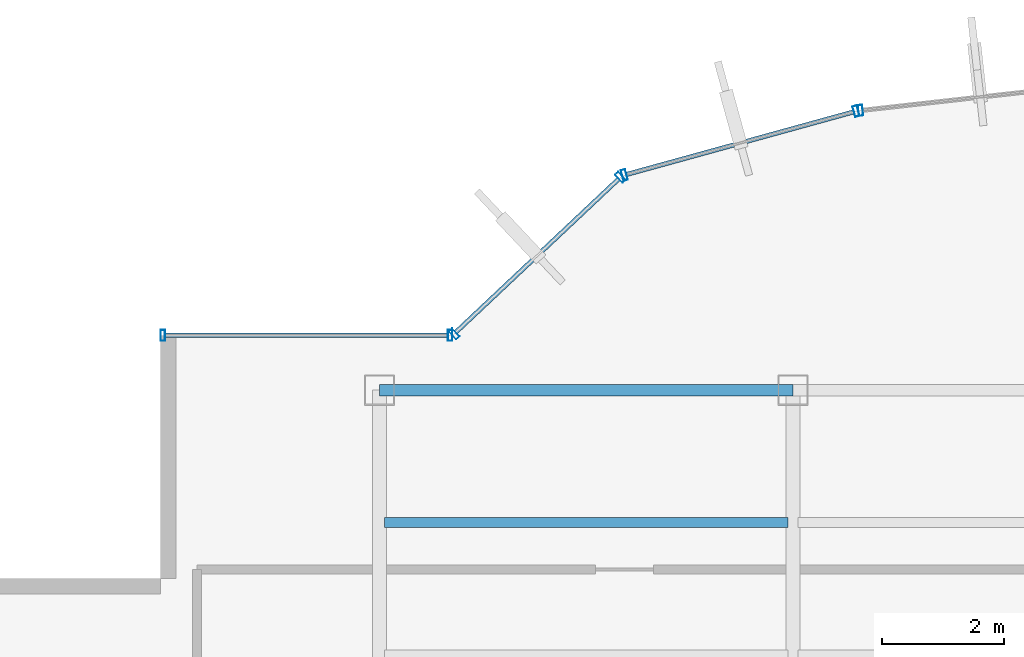
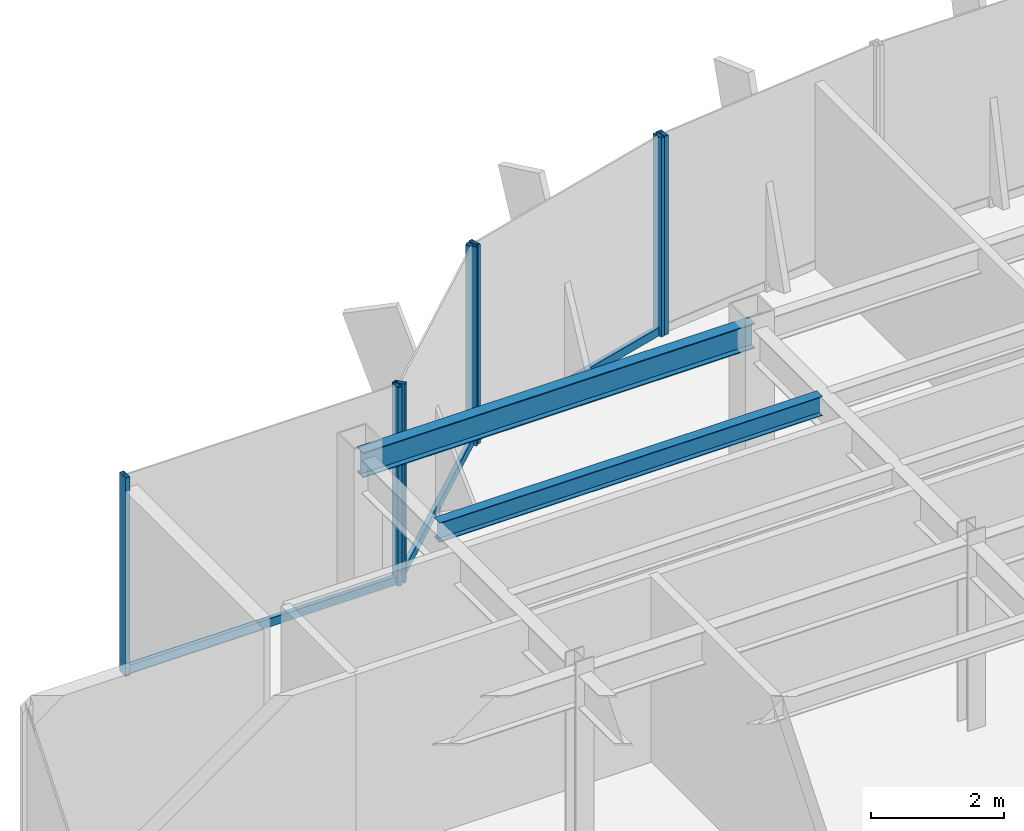
# One storey, part 12 of 22: 10 members, 2 beams, 4 elements without a shape of their own.
"""IFC4 building model written with IfcOpenShell, lengths in metres."""

from ifc_helpers import new_model, si_unit, derived_unit, direction, frame, origin, origin_2d, place, context, subcontext, project, spatial, hollow_rectangle, i_section, extrude, source, transform, mapped, material, material_profile, profile_set, type_object, element, aggregate, save


model = new_model("IFC4")

# Units and contexts
model_context = context("Model", 3, precision=1e-05, world=origin(), true_north=direction((0.0, 1.0)))
body_context = subcontext(model_context, "Body", "Model", "MODEL_VIEW")
ifc_project = project(units=[si_unit("LENGTHUNIT", "METRE"), si_unit("AREAUNIT", "SQUARE_METRE"), si_unit("VOLUMEUNIT", "CUBIC_METRE"), si_unit("PLANEANGLEUNIT", "RADIAN"), si_unit("MASSUNIT", "GRAM", prefix="KILO"), derived_unit("THERMALTRANSMITTANCEUNIT", [(si_unit("POWERUNIT", "WATT"), 1), (si_unit("LENGTHUNIT", "METRE"), -2), (si_unit("THERMODYNAMICTEMPERATUREUNIT", "KELVIN"), -1)])], contexts=[model_context])

# Site, building, storey
site_placement = place(None, origin())
site = spatial("IfcSite", under=ifc_project, at=site_placement, CompositionType="ELEMENT")
building_placement = place(site_placement, origin())
building = spatial("IfcBuilding", under=site, at=building_placement, Name="Skarnbrae Concourse Arena and Tower", CompositionType="ELEMENT")
storey_placement = place(building_placement, frame((0.0, 0.0, 225.10009765625)))
storey = spatial("IfcBuildingStorey", under=building, at=storey_placement, Name="L58", CompositionType="ELEMENT", Elevation=225.10009765625)

# Beams
ifc_material_1 = material(Name="Steel CSA G40.21 350W", Category="steel")
ifc_material_profile_1 = material_profile(ifc_material_1, i_section(OverallWidth=0.19091796875, OverallDepth=0.4599609375, WebThickness=0.010009765625, FlangeThickness=0.01611328125, at=origin_2d()), Name="W460X82")
ifc_profile_set_1 = profile_set([ifc_material_profile_1], Name="Steel CSA G40.21 350W")
beam_type_1 = type_object("IfcBeamType", Name="BM-SPAN-W460X82", PredefinedType="SPANDREL", material=ifc_profile_set_1)
shared_shape_1 = source(origin(), body_context, "Body", "SweptSolid", [
    extrude(i_section(OverallWidth=0.19091796875, OverallDepth=0.4599609375, WebThickness=0.010009765625, FlangeThickness=0.01611328125, at=origin_2d()), origin(), (0.0, 0.0, 1.0), 6.7998046875),
])
beam_1_placement = place(storey_placement, frame((7.60009765625, 34.39990234375, 3.169921875), z_axis=(1.0, 0.0, 0.0), x_axis=(0.0, 1.0, 0.0)))
element("IfcBeam", 1, at=beam_1_placement, inside=storey, type_object=beam_type_1, Name="L58 Perimeter spandrel Y34.4-1", PredefinedType="SPANDREL", context=body_context, shape_type="MappedRepresentation", body=[
    mapped(shared_shape_1, transform((0.0, 0.0, 0.0))),
])
ifc_material_profile_2 = material_profile(ifc_material_1, i_section(OverallWidth=0.1708984375, OverallDepth=0.35498046875, WebThickness=0.007080078125, FlangeThickness=0.01171875, at=origin_2d()), Name="W360X51")
ifc_profile_set_2 = profile_set([ifc_material_profile_2], Name="Steel CSA G40.21 350W")
beam_type_2 = type_object("IfcBeamType", Name="BM-JOIST-W360X51", PredefinedType="JOIST", material=ifc_profile_set_2)
shared_shape_2 = source(origin(), body_context, "Body", "SweptSolid", [
    extrude(i_section(OverallWidth=0.1708984375, OverallDepth=0.35498046875, WebThickness=0.007080078125, FlangeThickness=0.01171875, at=origin_2d()), origin(), (0.0, 0.0, 1.0), 6.64013671875),
])
beam_2_placement = place(storey_placement, frame((7.679931640625, 32.221923828125, 3.222412109375), z_axis=(1.0, 0.0, 0.0), x_axis=(0.0, 1.0, 0.0)))
element("IfcBeam", 2, at=beam_2_placement, inside=storey, type_object=beam_type_2, Name="L58 Secondary floor joist 3.2.1", PredefinedType="JOIST", context=body_context, shape_type="MappedRepresentation", body=[
    mapped(shared_shape_2, transform((0.0, 0.0, 0.0))),
])

# Curtain wall, member
ifc_material_2 = material(Name="Bronze anodised aluminium 6063-T6", Category="aluminium")
curtain_wall_type = type_object("IfcCurtainWallType", Name="CW-SYS-05-HIGHZONE", PredefinedType="USERDEFINED", material=ifc_material_2)
curtain_wall_1_placement = place(storey_placement, origin())
curtain_wall_1 = element("IfcCurtainWall", 3, at=curtain_wall_1_placement, inside=storey, type_object=curtain_wall_type, Name="L58 Unitised curtain wall CW-L58-E12", ObjectType="UNITISED CURTAIN WALL", PredefinedType="USERDEFINED")
ifc_material_profile_3 = material_profile(ifc_material_2, hollow_rectangle(XDim=0.074951171875, YDim=0.179931640625, WallThickness=0.00390625, at=origin_2d()), Name="ALU-MULL-75X180")
ifc_profile_set_3 = profile_set([ifc_material_profile_3], Name="Bronze anodised aluminium 6063-T6")
member_type_1 = type_object("IfcMemberType", Name="CWM-CW-05", PredefinedType="MULLION", material=ifc_profile_set_3)
shared_shape_3 = source(origin(), body_context, "Body", "SweptSolid", [
    extrude(hollow_rectangle(XDim=0.074951171875, YDim=0.179931640625, WallThickness=0.00390625, at=origin_2d()), origin(), (0.0, 0.0, 1.0), 3.64990234375),
])
member_1_placement = place(storey_placement, frame((15.511474609375, 39.001220703125, 0.0), z_axis=(0.0, 0.0, 1.0), x_axis=(-0.993768891873, -0.111460259941, 0.0)))
member_1 = element("IfcMember", 4, at=member_1_placement, type_object=member_type_1, Name="CW-L58-E12 Mullion 2", PredefinedType="MULLION", context=body_context, shape_type="MappedRepresentation", body=[
    mapped(shared_shape_3, transform((0.0, 0.0, 0.0))),
])
aggregate(curtain_wall_1, [member_1])

# Curtain wall, members
curtain_wall_2_placement = place(storey_placement, origin())
curtain_wall_2 = element("IfcCurtainWall", 5, at=curtain_wall_2_placement, inside=storey, type_object=curtain_wall_type, Name="L58 Unitised curtain wall CW-L58-E13", ObjectType="UNITISED CURTAIN WALL", PredefinedType="USERDEFINED")
member_2_placement = place(storey_placement, frame((15.43798828125, 38.987060546875, 0.0), z_axis=(0.0, 0.0, 1.0), x_axis=(-0.964057388766, -0.265694093207, 0.0)))
member_2 = element("IfcMember", 6, at=member_2_placement, type_object=member_type_1, Name="CW-L58-E13 Mullion 1", PredefinedType="MULLION", context=body_context, shape_type="MappedRepresentation", body=[
    mapped(shared_shape_3, transform((0.0, 0.0, 0.0))),
])
member_3_placement = place(storey_placement, frame((11.62646484375, 37.936767578125, 0.0), z_axis=(0.0, 0.0, 1.0), x_axis=(-0.964057388766, -0.265694093207, 0.0)))
member_3 = element("IfcMember", 7, at=member_3_placement, type_object=member_type_1, Name="CW-L58-E13 Mullion 2", PredefinedType="MULLION", context=body_context, shape_type="MappedRepresentation", body=[
    mapped(shared_shape_3, transform((0.0, 0.0, 0.0))),
])

curtain_wall_3_placement = place(storey_placement, origin())
curtain_wall_3 = element("IfcCurtainWall", 8, at=curtain_wall_3_placement, inside=storey, type_object=curtain_wall_type, Name="L58 Unitised curtain wall CW-L58-E14", ObjectType="UNITISED CURTAIN WALL", PredefinedType="USERDEFINED")
member_4_placement = place(storey_placement, frame((11.56298828125, 37.90087890625, 0.0), z_axis=(0.0, 0.0, 1.0), x_axis=(-0.728130555214, -0.685438468838, 0.0)))
member_4 = element("IfcMember", 9, at=member_4_placement, type_object=member_type_1, Name="CW-L58-E14 Mullion 1", PredefinedType="MULLION", context=body_context, shape_type="MappedRepresentation", body=[
    mapped(shared_shape_3, transform((0.0, 0.0, 0.0))),
])
member_5_placement = place(storey_placement, frame((8.827392578125, 35.32568359375, 0.0), z_axis=(0.0, 0.0, 1.0), x_axis=(-0.728130555214, -0.685438468838, 0.0)))
member_5 = element("IfcMember", 10, at=member_5_placement, type_object=member_type_1, Name="CW-L58-E14 Mullion 2", PredefinedType="MULLION", context=body_context, shape_type="MappedRepresentation", body=[
    mapped(shared_shape_3, transform((0.0, 0.0, 0.0))),
])

curtain_wall_4_placement = place(storey_placement, origin())
curtain_wall_4 = element("IfcCurtainWall", 11, at=curtain_wall_4_placement, inside=storey, type_object=curtain_wall_type, Name="L58 Unitised curtain wall CW-L58-E15", ObjectType="UNITISED CURTAIN WALL", PredefinedType="USERDEFINED")
member_6_placement = place(storey_placement, frame((8.762451171875, 35.300048828125, 0.0), z_axis=(0.0, 0.0, 1.0), x_axis=(-1.0, 0.0, 0.0)))
member_6 = element("IfcMember", 12, at=member_6_placement, type_object=member_type_1, Name="CW-L58-E15 Mullion 1", PredefinedType="MULLION", context=body_context, shape_type="MappedRepresentation", body=[
    mapped(shared_shape_3, transform((0.0, 0.0, 0.0))),
])
member_7_placement = place(storey_placement, frame((4.03759765625, 35.300048828125, 0.0), z_axis=(0.0, 0.0, 1.0), x_axis=(-1.0, 0.0, 0.0)))
member_7 = element("IfcMember", 13, at=member_7_placement, type_object=member_type_1, Name="CW-L58-E15 Mullion 2", PredefinedType="MULLION", context=body_context, shape_type="MappedRepresentation", body=[
    mapped(shared_shape_3, transform((0.0, 0.0, 0.0))),
])
ifc_material_profile_4 = material_profile(ifc_material_2, hollow_rectangle(XDim=0.074951171875, YDim=0.14990234375, WallThickness=0.00390625, at=origin_2d()), Name="ALU-TRAN-75X150")
ifc_profile_set_4 = profile_set([ifc_material_profile_4], Name="Bronze anodised aluminium 6063-T6")
member_type_2 = type_object("IfcMemberType", Name="CWT-CW-05", PredefinedType="USERDEFINED", material=ifc_profile_set_4)
shared_shape_4 = source(origin(), body_context, "Body", "SweptSolid", [
    extrude(hollow_rectangle(XDim=0.074951171875, YDim=0.14990234375, WallThickness=0.00390625, at=origin_2d()), origin(), (0.0, 0.0, 1.0), 4.650146484375),
])
member_8_placement = place(storey_placement, frame((8.72509765625, 35.300048828125, 0.074951171875), z_axis=(-1.0, 0.0, 0.0), x_axis=(0.0, -1.0, 0.0)))
member_8 = element("IfcMember", 14, at=member_8_placement, type_object=member_type_2, Name="CW-L58-E15 Transom 1", ObjectType="TRANSOM", PredefinedType="USERDEFINED", context=body_context, shape_type="MappedRepresentation", body=[
    mapped(shared_shape_4, transform((0.0, 0.0, 0.0))),
])
aggregate(curtain_wall_4, [member_6, member_7, member_8])

# Member
shared_shape_5 = source(origin(), body_context, "Body", "SweptSolid", [
    extrude(hollow_rectangle(XDim=0.074951171875, YDim=0.14990234375, WallThickness=0.00390625, at=origin_2d()), origin(), (0.0, 0.0, 1.0), 3.68212890625),
])
member_9_placement = place(storey_placement, frame((11.53564453125, 37.875244140625, 0.074951171875), z_axis=(-0.728133808476, -0.685435012933, 0.0), x_axis=(0.685435012933, -0.728133808476, 0.0)))
member_9 = element("IfcMember", 15, at=member_9_placement, type_object=member_type_2, Name="CW-L58-E14 Transom 1", ObjectType="TRANSOM", PredefinedType="USERDEFINED", context=body_context, shape_type="MappedRepresentation", body=[
    mapped(shared_shape_5, transform((0.0, 0.0, 0.0))),
])

aggregate(curtain_wall_3, [member_4, member_5, member_9])

shared_shape_6 = source(origin(), body_context, "Body", "SweptSolid", [
    extrude(hollow_rectangle(XDim=0.074951171875, YDim=0.14990234375, WallThickness=0.00390625, at=origin_2d()), origin(), (0.0, 0.0, 1.0), 3.878662109375),
])
member_10_placement = place(storey_placement, frame((15.40185546875, 38.977294921875, 0.074951171875), z_axis=(-0.964042677713, -0.265747465742, 0.0), x_axis=(0.265747465742, -0.964042677713, 0.0)))
member_10 = element("IfcMember", 16, at=member_10_placement, type_object=member_type_2, Name="CW-L58-E13 Transom 1", ObjectType="TRANSOM", PredefinedType="USERDEFINED", context=body_context, shape_type="MappedRepresentation", body=[
    mapped(shared_shape_6, transform((0.0, 0.0, 0.0))),
])

aggregate(curtain_wall_2, [member_2, member_3, member_10])

save(model, "model.ifc")
